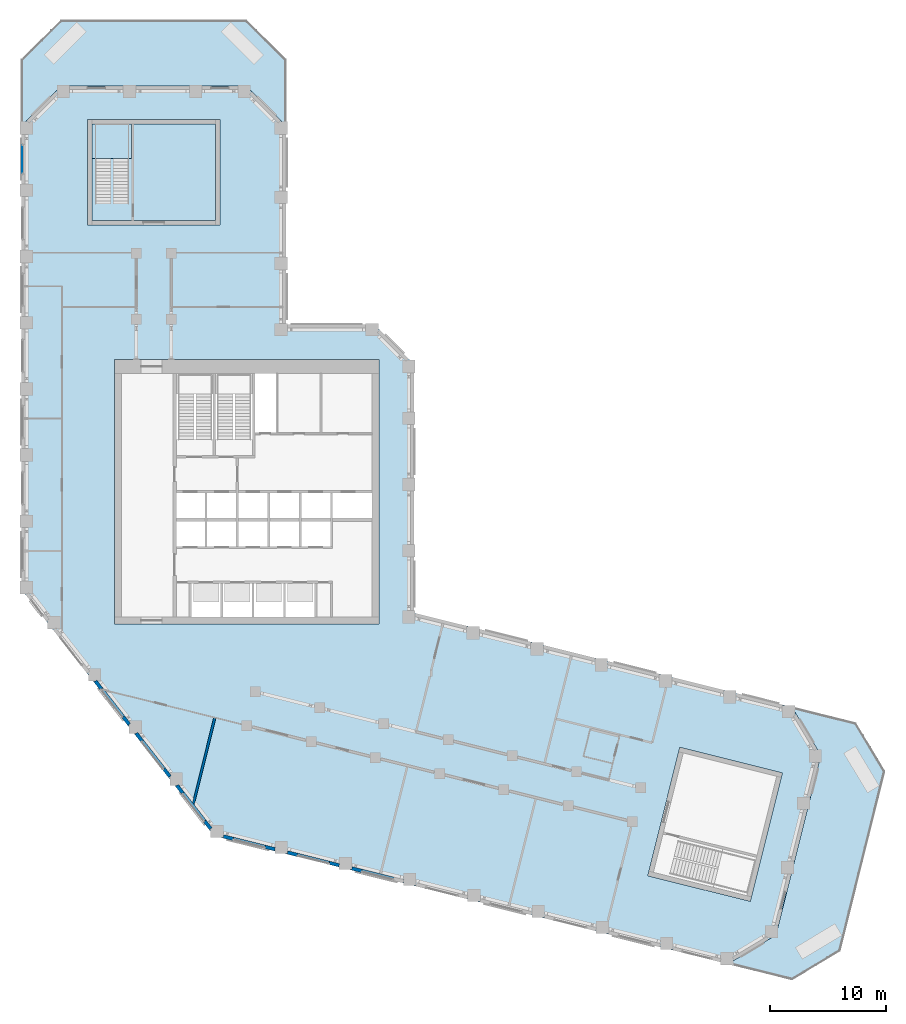
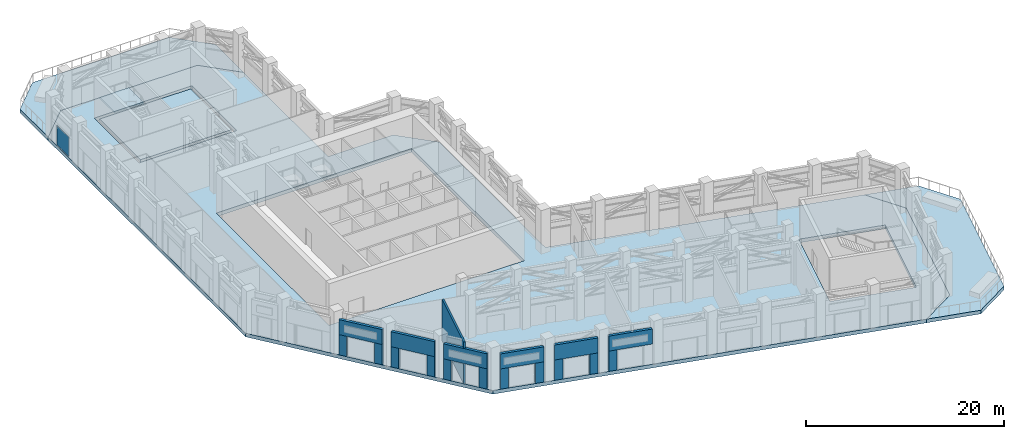
# One storey, part 11 of 21: 18 walls, 5 slabs, 1 plate, 2 elements without a shape of their own.
"""IFC4 building model written with IfcOpenShell, lengths in metres."""

import ifcopenshell
import ifcopenshell.guid

model = None  # the IFC model being written
_history = None  # IfcOwnerHistory: only IFC2X3 demands one
_inside = {}  # id of a spatial element -> (the spatial element, [elements in it])
_under = {}  # id of a project, library or spatial element -> (it, [spatial elements below it])
_declared = {}  # id of a project -> (the project, [libraries it declares])
_typed = {}  # id of a type object -> (the type object, [elements of that type])
_made_of = {}  # id of a material, layer set ... -> (it, [elements and type objects made of it])


def new_model(schema):
    """Start an empty IFC model of exactly this schema.

    Asked for "IFC4X3", IfcOpenShell would pick the latest addendum, in which some entities
    have other attributes; the version numbers below select the first issue.
    IFC2X3 requires an IfcOwnerHistory on every rooted entity: one is made here for all.
    """
    global model, _history
    if schema == "IFC4X3":
        model = ifcopenshell.file(schema_version=(4, 3, 0, 0))
    else:
        model = ifcopenshell.file(schema=schema)
    _inside.clear()
    _under.clear()
    _declared.clear()
    _typed.clear()
    _made_of.clear()
    _history = None
    if model.schema == "IFC2X3":
        org = make("IfcOrganization", Name="unknown")
        user = make(
            "IfcPersonAndOrganization",
            ThePerson=make("IfcPerson", FamilyName="unknown"),
            TheOrganization=org,
        )
        app = make(
            "IfcApplication",
            ApplicationDeveloper=org,
            Version="unknown",
            ApplicationFullName="unknown",
            ApplicationIdentifier="unknown",
        )
        _history = make(
            "IfcOwnerHistory",
            OwningUser=user,
            OwningApplication=app,
            ChangeAction="ADDED",
            CreationDate=0,
        )
    return model


def make(cls, **values):
    """One entity of the class cls with the attributes given. An attribute that is None is left unset."""
    return model.create_entity(
        cls, **{name: value for name, value in values.items() if value is not None}
    )


def rooted(cls, **values):
    """An entity with a GlobalId (a new one), such as an element, a storey or a relation."""
    return make(cls, GlobalId=ifcopenshell.guid.new(), OwnerHistory=_history, **values)


def si_unit(unit_type, name, prefix=None):
    """IfcSIUnit, for example si_unit("LENGTHUNIT", "METRE", prefix="MILLI")."""
    return make("IfcSIUnit", UnitType=unit_type, Prefix=prefix, Name=name)


def assignment(units):
    """IfcUnitAssignment: the units of a project."""
    return None if units is None else make("IfcUnitAssignment", Units=units)


def point(xyz):
    """IfcCartesianPoint."""
    return None if xyz is None else make("IfcCartesianPoint", Coordinates=xyz)


def direction(xyz):
    """IfcDirection."""
    return None if xyz is None else make("IfcDirection", DirectionRatios=xyz)


def frame(location, z_axis=None, x_axis=None):
    """IfcAxis2Placement3D, a coordinate frame: its origin and axes. An axis left out is left unset."""
    return make(
        "IfcAxis2Placement3D",
        Location=point(location),
        Axis=direction(z_axis),
        RefDirection=direction(x_axis),
    )


def frame_2d(location, x_axis=None):
    """IfcAxis2Placement2D, a coordinate frame in the plane: its origin and x axis."""
    return make(
        "IfcAxis2Placement2D", Location=point(location), RefDirection=direction(x_axis)
    )


def origin():
    """The frame at (0, 0, 0) with its axes left unset."""
    return frame((0.0, 0.0, 0.0))


def origin_2d():
    """The frame at (0, 0) in the plane with its x axis left unset."""
    return frame_2d((0.0, 0.0))


def place(relative_to, where):
    """IfcLocalPlacement: puts the frame where relative to a parent placement (None: the world)."""
    return make(
        "IfcLocalPlacement", PlacementRelTo=relative_to, RelativePlacement=where
    )


def context(
    kind, dimensions, precision=None, world=None, true_north=None, identifier=None
):
    """IfcGeometricRepresentationContext, for example the 3D "Model" context."""
    return make(
        "IfcGeometricRepresentationContext",
        ContextIdentifier=identifier,
        ContextType=kind,
        CoordinateSpaceDimension=dimensions,
        Precision=precision,
        WorldCoordinateSystem=world,
        TrueNorth=true_north,
    )


def subcontext(parent, identifier, kind, view, scale=None):
    """IfcGeometricRepresentationSubContext, for example "Body" below "Model"."""
    return make(
        "IfcGeometricRepresentationSubContext",
        ContextIdentifier=identifier,
        ContextType=kind,
        ParentContext=parent,
        TargetScale=scale,
        TargetView=view,
    )


def project(units=None, contexts=None):
    """IfcProject with its units and contexts."""
    return rooted(
        "IfcProject",
        Name="project",
        RepresentationContexts=contexts,
        UnitsInContext=assignment(units),
    )


def spatial(cls, under=None, at=None, **own):
    """A site, building, storey or space (cls), placed at a placement, below another one or the project."""
    s = rooted(cls, ObjectPlacement=at, **own)
    if under is not None:
        _under.setdefault(under.id(), (under, []))[1].append(s)
    return s


def polyline(points):
    """IfcPolyline through the points."""
    return make("IfcPolyline", Points=[point(p) for p in points])


def profile(cls, at=None, kind="AREA", **sizes):
    """A parametric profile (cls). Its sizes go by their IFC names, for example OverallWidth=200.0."""
    return make(cls, ProfileType=kind, Position=at, **sizes)


def rectangle(**sizes):
    """IfcRectangleProfileDef."""
    return profile("IfcRectangleProfileDef", **sizes)


def outline(outer, holes=None, kind="AREA"):
    """IfcArbitraryClosedProfileDef: a profile drawn as a closed curve; with holes, ...WithVoids."""
    if holes is None:
        return make("IfcArbitraryClosedProfileDef", ProfileType=kind, OuterCurve=outer)
    return make(
        "IfcArbitraryProfileDefWithVoids",
        ProfileType=kind,
        OuterCurve=outer,
        InnerCurves=holes,
    )


def extrude(swept, where, along, depth):
    """IfcExtrudedAreaSolid: the profile swept, set in the frame where, extruded along a direction by depth."""
    return make(
        "IfcExtrudedAreaSolid",
        SweptArea=swept,
        Position=where,
        ExtrudedDirection=direction(along),
        Depth=depth,
    )


def shape(context_of_items, identifier, shape_type, items):
    """IfcShapeRepresentation: the items that make up one representation, for example the "Body"."""
    return make(
        "IfcShapeRepresentation",
        ContextOfItems=context_of_items,
        RepresentationIdentifier=identifier,
        RepresentationType=shape_type,
        Items=items,
    )


def material(Name=None, Category=None):
    """IfcMaterial."""
    return make("IfcMaterial", Name=Name, Category=Category)


def layer(
    of_material, thickness, ventilated=None, Name=None, Category=None, Priority=None
):
    """IfcMaterialLayer: one layer of a wall or slab, of a material (None: an air gap)."""
    return make(
        "IfcMaterialLayer",
        Material=of_material,
        LayerThickness=thickness,
        IsVentilated=ventilated,
        Name=Name,
        Category=Category,
        Priority=Priority,
    )


def layer_set(layers, Name=None):
    """IfcMaterialLayerSet."""
    return make("IfcMaterialLayerSet", MaterialLayers=layers, LayerSetName=Name)


def made_of(thing, what):
    """Note that an element or type object is made of a material, layer set ...; save() writes the relation."""
    if what is not None:
        _made_of.setdefault(what.id(), (what, []))[1].append(thing)
    return thing


def type_object(cls, material=None, **own):
    """A type object (cls), such as IfcWallType, which elements share."""
    return made_of(rooted(cls, **own), material)


def element(
    cls,
    number,
    at=None,
    inside=None,
    cuts=None,
    type_object=None,
    material=None,
    context=None,
    identifier="Body",
    shape_type=None,
    held_by="IfcProductDefinitionShape",
    body=None,
    shapes=None,
    **own,
):
    """One element of the class cls, such as IfcWall. Its Tag is "e" and its number.

    at: its placement. inside: the storey or other place that contains it. cuts: it is an
    opening in that element (IfcRelVoidsElement). A single representation is given by context,
    identifier, shape_type and body (its items); several are given by shapes. held_by: the class
    of the entity that holds the representations. save() writes the other relations.
    """
    e = rooted(cls, Tag="e%d" % number, ObjectPlacement=at, **own)
    if body is not None:
        shapes = [shape(context, identifier, shape_type, body)]
    if shapes is not None:
        e.Representation = make(held_by, Representations=shapes)
    if inside is not None:
        _inside.setdefault(inside.id(), (inside, []))[1].append(e)
    if cuts is not None:
        rooted(
            "IfcRelVoidsElement", RelatingBuildingElement=cuts, RelatedOpeningElement=e
        )
    if type_object is not None:
        _typed.setdefault(type_object.id(), (type_object, []))[1].append(e)
    return made_of(e, material)


def aggregate(whole, parts):
    """IfcRelAggregates: a whole, such as a stair, and the parts it consists of."""
    return rooted("IfcRelAggregates", RelatingObject=whole, RelatedObjects=parts)


def save(model, path):
    """Write the relations noted so far, then the file.

    IfcRelAggregates (storeys below a building ...), IfcRelContainedInSpatialStructure (elements
    in a storey), IfcRelDefinesByType, IfcRelAssociatesMaterial and IfcRelDeclares: one each for
    every whole, place, type object, material and project.
    """
    for whole, parts in _under.values():
        aggregate(whole, parts)
    for where, things in _inside.values():
        rooted(
            "IfcRelContainedInSpatialStructure",
            RelatedElements=things,
            RelatingStructure=where,
        )
    for kind, things in _typed.values():
        rooted("IfcRelDefinesByType", RelatedObjects=things, RelatingType=kind)
    for what, things in _made_of.values():
        rooted("IfcRelAssociatesMaterial", RelatedObjects=things, RelatingMaterial=what)
    for by, libraries in _declared.values():
        rooted("IfcRelDeclares", RelatingContext=by, RelatedDefinitions=libraries)
    model.write(path)


model = new_model("IFC4")

# Units and contexts
model_context = context("Model", 3, precision=1e-05, world=origin(), true_north=direction((0.0, 1.0)))
body_context = subcontext(model_context, "Body", "Model", "MODEL_VIEW")
ifc_project = project(units=[si_unit("LENGTHUNIT", "METRE"), si_unit("AREAUNIT", "SQUARE_METRE"), si_unit("VOLUMEUNIT", "CUBIC_METRE"), si_unit("PLANEANGLEUNIT", "RADIAN"), si_unit("MASSUNIT", "GRAM", prefix="KILO")], contexts=[model_context])

# Site, building, storey
site_placement = place(None, origin())
site = spatial("IfcSite", under=ifc_project, at=site_placement, CompositionType="ELEMENT")
building_placement = place(site_placement, origin())
building = spatial("IfcBuilding", under=site, at=building_placement, Name="Meshkara Civic Tower", CompositionType="ELEMENT")
storey_placement = place(building_placement, frame((0.0, 0.0, 284.39990234375)))
storey = spatial("IfcBuildingStorey", under=building, at=storey_placement, Name="L65", CompositionType="ELEMENT", Elevation=284.39990234375)

# Curtain wall, plate
ifc_material_1 = material(Name="Tinted double glazing", Category="glass")
curtain_wall_type = type_object("IfcCurtainWallType", Name="CW SKY LOBBY BAND", PredefinedType="NOTDEFINED", material=ifc_material_1)
curtain_wall_placement = place(storey_placement, origin())
curtain_wall = element("IfcCurtainWall", 1, at=curtain_wall_placement, inside=storey, type_object=curtain_wall_type, Name="Curtain wall CW2", PredefinedType="NOTDEFINED")
ifc_material_2 = material(Name="Tinted double glazing", Category="glass")
ifc_layer_1 = layer(ifc_material_2, 0.028076171875)
ifc_layer_set_1 = layer_set([ifc_layer_1], Name="CW PANEL IGU 28")
plate_type = type_object("IfcPlateType", Name="CW PANEL IGU 28", PredefinedType="CURTAIN_PANEL", material=ifc_layer_set_1)
plate_placement = place(storey_placement, frame((0.080078125, 54.134521484375, 0.06005859375), z_axis=(0.0, 0.0, 1.0), x_axis=(0.0, -1.0, 0.0)))
plate = element("IfcPlate", 2, at=plate_placement, type_object=plate_type, Name="CW2 panel 1.1", PredefinedType="CURTAIN_PANEL", context=body_context, shape_type="SweptSolid", body=[
    extrude(rectangle(XDim=2.43505859375, YDim=0.028076171875, at=origin_2d()), origin(), (0.0, 0.0, 1.0), 2.3798828125),
])
aggregate(curtain_wall, [plate])

# Slab
ifc_material_3 = material(Name="Concrete C40/50", Category="concrete")
ifc_layer_2 = layer(ifc_material_3, 0.449951171875)
ifc_layer_set_2 = layer_set([ifc_layer_2], Name="Core floor slab 450 C40/50")
slab_type_1 = type_object("IfcSlabType", Name="Core floor slab 450 C40/50", PredefinedType="FLOOR", material=ifc_layer_set_2)
slab_1_placement = place(storey_placement, frame((0.0, 0.0, -0.449951171875)))
element("IfcSlab", 3, at=slab_1_placement, inside=storey, type_object=slab_type_1, Name="Core floor EA", PredefinedType="FLOOR", context=body_context, shape_type="SweptSolid", body=[
    extrude(outline(polyline([(6.10009765625, 48.8701171875), (16.699951171875, 48.8701171875), (16.699951171875, 57.169921875), (6.10009765625, 57.169921875), (6.10009765625, 48.8701171875)])), origin(), (0.0, 0.0, 1.0), 0.449951171875),
])

# Stair, slab
ifc_material_4 = material(Name="Precast concrete C40/50", Category="concrete")
stair_type = type_object("IfcStairType", Name="Exit stair half-turn 30 risers precast", PredefinedType="HALF_TURN_STAIR", material=ifc_material_4)
stair_placement = place(storey_placement, origin())
stair = element("IfcStair", 4, at=stair_placement, inside=storey, type_object=stair_type, Name="L65 exit stair A from L65", PredefinedType="HALF_TURN_STAIR")
ifc_material_5 = material(Name="Precast concrete C40/50", Category="concrete")
ifc_layer_3 = layer(ifc_material_5, 0.199951171875)
ifc_layer_set_3 = layer_set([ifc_layer_3], Name="Exit stair landing 200")
slab_type_2 = type_object("IfcSlabType", Name="Exit stair landing 200", PredefinedType="LANDING", material=ifc_layer_set_3)
slab_2_placement = place(storey_placement, frame((0.0, 0.0, 2.5)))
slab_2 = element("IfcSlab", 5, at=slab_2_placement, type_object=slab_type_2, Name="ESA5 landing 1", PredefinedType="LANDING", context=body_context, shape_type="SweptSolid", body=[
    extrude(outline(polyline([(9.5, 54.1884765625), (9.5, 57.169921875), (6.10009765625, 57.169921875), (6.10009765625, 54.1884765625), (9.5, 54.1884765625)])), origin(), (0.0, 0.0, 1.0), 0.2001953125),
])
aggregate(stair, [slab_2])

# Slabs
ifc_material_6 = material(Name="Concrete C50", Category="concrete")
ifc_layer_4 = layer(ifc_material_6, 0.449951171875)
ifc_layer_set_4 = layer_set([ifc_layer_4], Name="Terrace slab 450 C50")
slab_type_3 = type_object("IfcSlabType", Name="Terrace slab 450 C50", PredefinedType="ROOF", material=ifc_layer_set_4)
slab_3_placement = place(storey_placement, frame((0.0, 0.0, -0.449951171875)))
element("IfcSlab", 6, at=slab_3_placement, inside=storey, type_object=slab_type_3, Name="Terrace slab L65", PredefinedType="ROOF", context=body_context, shape_type="SweptSolid", body=[
    extrude(outline(polyline([(3.419921875, 66.1201171875), (19.3798828125, 66.1201171875), (22.800048828125, 62.699951171875), (22.800048828125, 57.0), (19.3798828125, 60.419921875), (3.419921875, 60.419921875), (0.0, 57.0), (0.0, 62.699951171875), (3.419921875, 66.1201171875)])), origin(), (0.0, 0.0, 1.0), 0.449951171875),
])
slab_4_placement = place(storey_placement, frame((0.0, 0.0, -0.449951171875)))
element("IfcSlab", 7, at=slab_4_placement, inside=storey, type_object=slab_type_3, Name="Terrace slab L65", PredefinedType="ROOF", context=body_context, shape_type="SweptSolid", body=[
    extrude(outline(polyline([(74.375, 1.429931640625), (70.513916015625, -14.055908203125), (66.367919921875, -16.547119140625), (60.839111328125, -15.16796875), (64.98291015625, -12.677001953125), (68.843994140625, 2.80810546875), (66.35302734375, 6.9541015625), (71.884033203125, 5.574951171875), (74.375, 1.429931640625)])), origin(), (0.0, 0.0, 1.0), 0.449951171875),
])
ifc_material_7 = material(Name="Concrete C60", Category="concrete")
ifc_layer_5 = layer(ifc_material_7, 0.449951171875)
ifc_layer_set_5 = layer_set([ifc_layer_5], Name="Transfer plate 450 C60")
slab_type_4 = type_object("IfcSlabType", Name="Transfer plate 450 C60", PredefinedType="FLOOR", material=ifc_layer_set_5)
slab_5_placement = place(storey_placement, frame((0.0, 0.0, -0.449951171875)))
element("IfcSlab", 8, at=slab_5_placement, inside=storey, type_object=slab_type_4, Name="Transfer plate L65", PredefinedType="FLOOR", context=body_context, shape_type="SweptSolid", body=[
    extrude(outline(polyline([(64.98291015625, -12.677001953125), (60.837890625, -15.1689453125), (16.592041015625, -4.136962890625), (0.0, 17.10009765625), (0.0, 57.0), (3.419921875, 60.419921875), (19.3798828125, 60.419921875), (22.800048828125, 57.0), (22.800048828125, 39.89990234375), (30.3798828125, 39.89990234375), (33.800048828125, 36.47998046875), (33.800048828125, 15.071044921875), (66.35302734375, 6.9541015625), (68.843994140625, 2.80810546875), (64.98291015625, -12.677001953125)]), holes=[polyline([(62.77001953125, -9.77587890625), (65.527099609375, 1.285888671875), (56.697998046875, 3.487060546875), (53.93994140625, -7.573974609375), (62.77001953125, -9.77587890625)]), polyline([(8.0, 14.10009765625), (30.800048828125, 14.10009765625), (30.800048828125, 36.89990234375), (8.0, 36.89990234375), (8.0, 14.10009765625)]), polyline([(5.699951171875, 57.570068359375), (5.699951171875, 48.469970703125), (17.10009765625, 48.469970703125), (17.10009765625, 57.570068359375), (5.699951171875, 57.570068359375)])]), origin(), (0.0, 0.0, 1.0), 0.449951171875),
])

# Walls
ifc_material_8 = material(Name="Insulated infill panel with bronze anodised aluminium cladding", Category="aluminium")
ifc_layer_6 = layer(ifc_material_8, 0.300048828125)
ifc_layer_set_6 = layer_set([ifc_layer_6], Name="EXTERNAL INFILL WALL 300")
wall_type_1 = type_object("IfcWallType", Name="EXTERNAL INFILL WALL 300", PredefinedType="SOLIDWALL", material=ifc_layer_set_6)
wall_1_placement = place(storey_placement, frame((6.373046875, 9.18701171875, 2.5), z_axis=(0.0, 0.0, 1.0), x_axis=(0.615601945293, -0.788057259945, 0.0)))
element("IfcWall", 9, at=wall_1_placement, inside=storey, type_object=wall_type_1, Name="External wall", PredefinedType="SOLIDWALL", context=body_context, shape_type="SweptSolid", body=[
    extrude(rectangle(XDim=4.72705078125, YDim=0.300048828125, at=frame_2d((2.363525390625, 0.0))), origin(), (0.0, 0.0, 1.0), 1.85009765625),
])
for number, where, z_axis, x_axis, name in (
    (10, (9.882080078125, 4.695068359375, 2.5), (0.0, 0.0, 1.0), (0.615702182059, -0.787978948328, 0.0), "External wall"),
    (11, (13.39111328125, 0.2041015625, 2.5), (0.0, 0.0, 1.0), (0.615702182059, -0.787978948328, 0.0), "External wall"),
):
    element("IfcWall", number, at=place(storey_placement, frame(where, z_axis=z_axis, x_axis=x_axis)), inside=storey, type_object=wall_type_1, Name=name, PredefinedType="SOLIDWALL", context=body_context, shape_type="SweptSolid", body=[
        extrude(rectangle(XDim=4.72607421875, YDim=0.300048828125, at=frame_2d((2.363037109375, 0.0))), origin(), (0.0, 0.0, 1.0), 1.85009765625),
    ])
wall_2_placement = place(storey_placement, frame((17.40087890625, -4.18408203125, 2.5), z_axis=(0.0, 0.0, 1.0), x_axis=(0.970286982272, -0.241956963183, 0.0)))
element("IfcWall", 12, at=wall_2_placement, inside=storey, type_object=wall_type_1, Name="External wall", PredefinedType="SOLIDWALL", context=body_context, shape_type="SweptSolid", body=[
    extrude(rectangle(XDim=4.56689453125, YDim=0.300048828125, at=frame_2d((2.283447265625, 0.0))), origin(), (0.0, 0.0, 1.0), 1.85009765625),
])
wall_3_placement = place(storey_placement, frame((22.931884765625, -5.56298828125, 2.5), z_axis=(0.0, 0.0, 1.0), x_axis=(0.970274459658, -0.242007175378, 0.0)))
element("IfcWall", 13, at=wall_3_placement, inside=storey, type_object=wall_type_1, Name="External wall", PredefinedType="SOLIDWALL", context=body_context, shape_type="SweptSolid", body=[
    extrude(rectangle(XDim=4.56591796875, YDim=0.300048828125, at=frame_2d((2.282958984375, 0.0))), origin(), (0.0, 0.0, 1.0), 1.85009765625),
])
wall_4_placement = place(storey_placement, frame((28.4619140625, -6.94189453125, 2.5), z_axis=(0.0, 0.0, 1.0), x_axis=(0.970274430604, -0.242007291865, 0.0)))
element("IfcWall", 14, at=wall_4_placement, inside=storey, type_object=wall_type_1, Name="External wall", PredefinedType="SOLIDWALL", context=body_context, shape_type="SweptSolid", body=[
    extrude(rectangle(XDim=4.56689453125, YDim=0.300048828125, at=frame_2d((2.283447265625, 0.0))), origin(), (0.0, 0.0, 1.0), 1.85009765625),
])
ifc_material_9 = material(Name="Fire-rated wall 200")
ifc_layer_7 = layer(ifc_material_9, 0.199951171875)
ifc_layer_set_7 = layer_set([ifc_layer_7], Name="Fire-rated wall 200")
wall_type_2 = type_object("IfcWallType", Name="Fire-rated wall 200", PredefinedType="PARTITIONING", material=ifc_layer_set_7)
wall_5_placement = place(storey_placement, frame((14.740966796875, -1.640380859375, 0.0), z_axis=(0.0, 0.0, 1.0), x_axis=(0.241900964018, 0.970300944866, 0.0)))
element("IfcWall", 15, at=wall_5_placement, inside=storey, type_object=wall_type_2, Name="L65-R030", PredefinedType="PARTITIONING", context=body_context, shape_type="SweptSolid", body=[
    extrude(rectangle(XDim=7.875244140625, YDim=0.199951171875, at=frame_2d((3.9375, 0.0))), origin(), (0.0, 0.0, 1.0), 5.10009765625),
])
ifc_material_10 = material(Name="Concrete C50", Category="concrete")
ifc_layer_8 = layer(ifc_material_10, 0.300048828125)
ifc_layer_set_8 = layer_set([ifc_layer_8], Name="SKY LOBBY PIER 300")
wall_type_3 = type_object("IfcWallType", Name="SKY LOBBY PIER 300", PredefinedType="SOLIDWALL", material=ifc_layer_set_8)
for number, where, z_axis, x_axis, name in (
    (16, (6.373046875, 9.18701171875, 0.0), (0.0, 0.0, 1.0), (0.615809291242, -0.787895244827, 0.0), "Sky lobby pier"),
    (17, (8.77099609375, 6.116943359375, 0.0), (0.0, 0.0, 1.0), (0.615809291242, -0.787895244827, 0.0), "Sky lobby pier"),
    (18, (9.882080078125, 4.695068359375, 0.0), (0.0, 0.0, 1.0), (0.615809291242, -0.787895244827, 0.0), "Sky lobby pier"),
    (19, (12.280029296875, 1.6259765625, 0.0), (0.0, 0.0, 1.0), (0.615809291242, -0.787895244827, 0.0), "Sky lobby pier"),
    (20, (13.39111328125, 0.2041015625, 0.0), (0.0, 0.0, 1.0), (0.615809291242, -0.787895244827, 0.0), "Sky lobby pier"),
    (21, (15.7890625, -2.864990234375, 0.0), (0.0, 0.0, 1.0), (0.615809291242, -0.787895244827, 0.0), "Sky lobby pier"),
):
    element("IfcWall", number, at=place(storey_placement, frame(where, z_axis=z_axis, x_axis=x_axis)), inside=storey, type_object=wall_type_3, Name=name, PredefinedType="SOLIDWALL", context=body_context, shape_type="SweptSolid", body=[
        extrude(rectangle(XDim=0.831298828125, YDim=0.300048828125, at=frame_2d((0.41552734375, 0.0))), origin(), (0.0, 0.0, 1.0), 2.5),
    ])
wall_6_placement = place(storey_placement, frame((17.40087890625, -4.18408203125, 0.0), z_axis=(0.0, 0.0, 1.0), x_axis=(0.970175346246, -0.242404202804, 0.0)))
element("IfcWall", 22, at=wall_6_placement, inside=storey, type_object=wall_type_3, Name="Sky lobby pier", PredefinedType="SOLIDWALL", context=body_context, shape_type="SweptSolid", body=[
    extrude(rectangle(XDim=0.874267578125, YDim=0.300048828125, at=frame_2d((0.43701171875, 0.0))), origin(), (0.0, 0.0, 1.0), 2.5),
])
wall_7_placement = place(storey_placement, frame((20.98388671875, -5.077880859375, 0.0), z_axis=(0.0, 0.0, 1.0), x_axis=(0.970372095453, -0.24161538934, 0.0)))
element("IfcWall", 23, at=wall_7_placement, inside=storey, type_object=wall_type_3, Name="Sky lobby pier", PredefinedType="SOLIDWALL", context=body_context, shape_type="SweptSolid", body=[
    extrude(rectangle(XDim=0.8740234375, YDim=0.300048828125, at=frame_2d((0.43701171875, 0.0))), origin(), (0.0, 0.0, 1.0), 2.5),
])
for number, where, z_axis, x_axis, name in (
    (24, (22.931884765625, -5.56298828125, 0.0), (0.0, 0.0, 1.0), (0.970175346246, -0.242404202804, 0.0), "Sky lobby pier"),
    (25, (26.513916015625, -6.4560546875, 0.0), (0.0, 0.0, 1.0), (0.970175346246, -0.242404202804, 0.0), "Sky lobby pier"),
):
    element("IfcWall", number, at=place(storey_placement, frame(where, z_axis=z_axis, x_axis=x_axis)), inside=storey, type_object=wall_type_3, Name=name, PredefinedType="SOLIDWALL", context=body_context, shape_type="SweptSolid", body=[
        extrude(rectangle(XDim=0.874267578125, YDim=0.300048828125, at=frame_2d((0.43701171875, 0.0))), origin(), (0.0, 0.0, 1.0), 2.5),
    ])
wall_8_placement = place(storey_placement, frame((28.4619140625, -6.94189453125, 0.0), z_axis=(0.0, 0.0, 1.0), x_axis=(0.970372095453, -0.24161538934, 0.0)))
element("IfcWall", 26, at=wall_8_placement, inside=storey, type_object=wall_type_3, Name="Sky lobby pier", PredefinedType="SOLIDWALL", context=body_context, shape_type="SweptSolid", body=[
    extrude(rectangle(XDim=0.8740234375, YDim=0.300048828125, at=frame_2d((0.43701171875, 0.0))), origin(), (0.0, 0.0, 1.0), 2.5),
])

save(model, "model.ifc")
